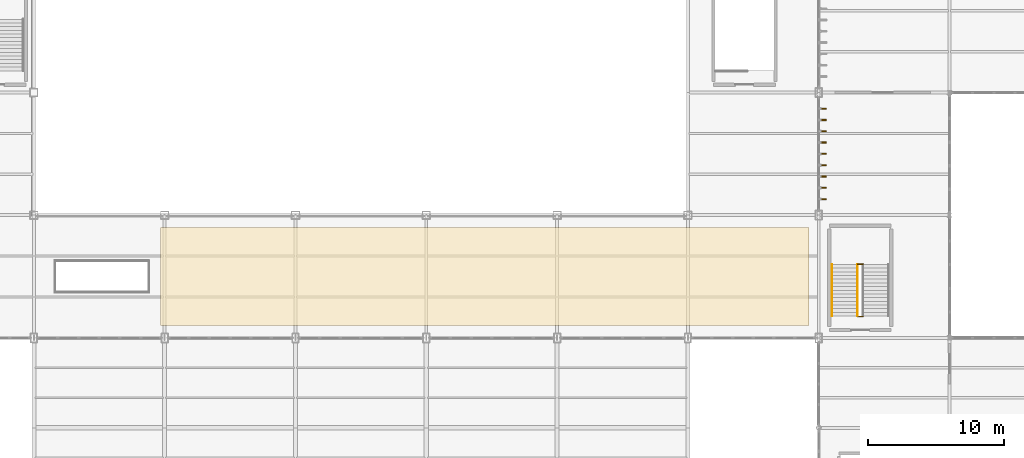
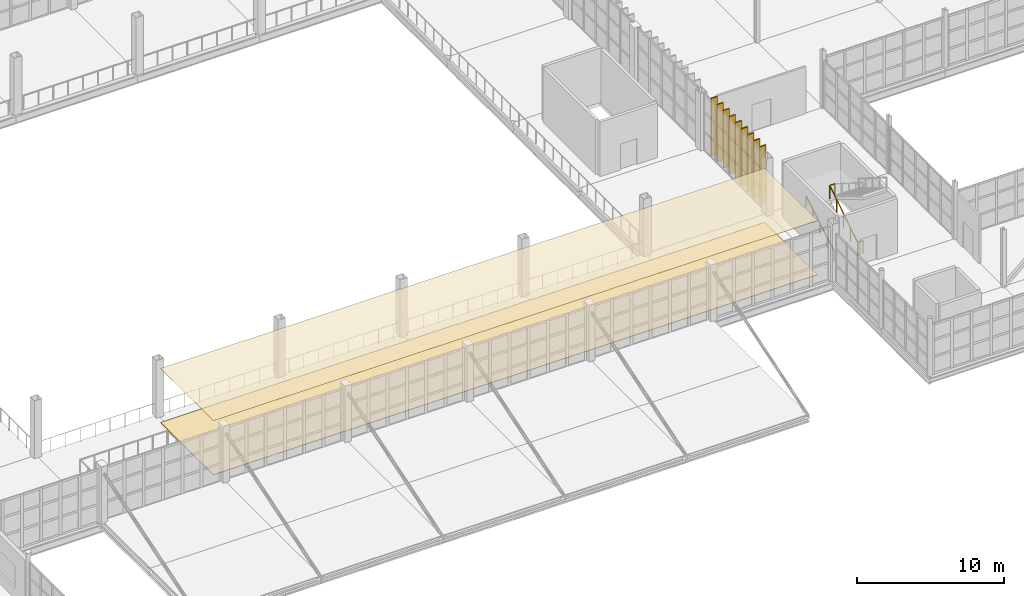
# One storey, part 116 of 120: 11 coverings, 4 railings.
"""IFC4 building model written with IfcOpenShell, lengths in metres."""

import ifcopenshell
import ifcopenshell.guid

model = None  # the IFC model being written
_history = None  # IfcOwnerHistory: only IFC2X3 demands one
_inside = {}  # id of a spatial element -> (the spatial element, [elements in it])
_under = {}  # id of a project, library or spatial element -> (it, [spatial elements below it])
_declared = {}  # id of a project -> (the project, [libraries it declares])
_typed = {}  # id of a type object -> (the type object, [elements of that type])
_made_of = {}  # id of a material, layer set ... -> (it, [elements and type objects made of it])


def new_model(schema):
    """Start an empty IFC model of exactly this schema.

    Asked for "IFC4X3", IfcOpenShell would pick the latest addendum, in which some entities
    have other attributes; the version numbers below select the first issue.
    IFC2X3 requires an IfcOwnerHistory on every rooted entity: one is made here for all.
    """
    global model, _history
    if schema == "IFC4X3":
        model = ifcopenshell.file(schema_version=(4, 3, 0, 0))
    else:
        model = ifcopenshell.file(schema=schema)
    _inside.clear()
    _under.clear()
    _declared.clear()
    _typed.clear()
    _made_of.clear()
    _history = None
    if model.schema == "IFC2X3":
        org = make("IfcOrganization", Name="unknown")
        user = make(
            "IfcPersonAndOrganization",
            ThePerson=make("IfcPerson", FamilyName="unknown"),
            TheOrganization=org,
        )
        app = make(
            "IfcApplication",
            ApplicationDeveloper=org,
            Version="unknown",
            ApplicationFullName="unknown",
            ApplicationIdentifier="unknown",
        )
        _history = make(
            "IfcOwnerHistory",
            OwningUser=user,
            OwningApplication=app,
            ChangeAction="ADDED",
            CreationDate=0,
        )
    return model


def make(cls, **values):
    """One entity of the class cls with the attributes given. An attribute that is None is left unset."""
    return model.create_entity(
        cls, **{name: value for name, value in values.items() if value is not None}
    )


def rooted(cls, **values):
    """An entity with a GlobalId (a new one), such as an element, a storey or a relation."""
    return make(cls, GlobalId=ifcopenshell.guid.new(), OwnerHistory=_history, **values)


def si_unit(unit_type, name, prefix=None):
    """IfcSIUnit, for example si_unit("LENGTHUNIT", "METRE", prefix="MILLI")."""
    return make("IfcSIUnit", UnitType=unit_type, Prefix=prefix, Name=name)


def assignment(units):
    """IfcUnitAssignment: the units of a project."""
    return None if units is None else make("IfcUnitAssignment", Units=units)


def point(xyz):
    """IfcCartesianPoint."""
    return None if xyz is None else make("IfcCartesianPoint", Coordinates=xyz)


def direction(xyz):
    """IfcDirection."""
    return None if xyz is None else make("IfcDirection", DirectionRatios=xyz)


def frame(location, z_axis=None, x_axis=None):
    """IfcAxis2Placement3D, a coordinate frame: its origin and axes. An axis left out is left unset."""
    return make(
        "IfcAxis2Placement3D",
        Location=point(location),
        Axis=direction(z_axis),
        RefDirection=direction(x_axis),
    )


def frame_2d(location, x_axis=None):
    """IfcAxis2Placement2D, a coordinate frame in the plane: its origin and x axis."""
    return make(
        "IfcAxis2Placement2D", Location=point(location), RefDirection=direction(x_axis)
    )


def origin():
    """The frame at (0, 0, 0) with its axes left unset."""
    return frame((0.0, 0.0, 0.0))


def origin_2d():
    """The frame at (0, 0) in the plane with its x axis left unset."""
    return frame_2d((0.0, 0.0))


def place(relative_to, where):
    """IfcLocalPlacement: puts the frame where relative to a parent placement (None: the world)."""
    return make(
        "IfcLocalPlacement", PlacementRelTo=relative_to, RelativePlacement=where
    )


def context(
    kind, dimensions, precision=None, world=None, true_north=None, identifier=None
):
    """IfcGeometricRepresentationContext, for example the 3D "Model" context."""
    return make(
        "IfcGeometricRepresentationContext",
        ContextIdentifier=identifier,
        ContextType=kind,
        CoordinateSpaceDimension=dimensions,
        Precision=precision,
        WorldCoordinateSystem=world,
        TrueNorth=true_north,
    )


def subcontext(parent, identifier, kind, view, scale=None):
    """IfcGeometricRepresentationSubContext, for example "Body" below "Model"."""
    return make(
        "IfcGeometricRepresentationSubContext",
        ContextIdentifier=identifier,
        ContextType=kind,
        ParentContext=parent,
        TargetScale=scale,
        TargetView=view,
    )


def project(units=None, contexts=None):
    """IfcProject with its units and contexts."""
    return rooted(
        "IfcProject",
        Name="project",
        RepresentationContexts=contexts,
        UnitsInContext=assignment(units),
    )


def spatial(cls, under=None, at=None, **own):
    """A site, building, storey or space (cls), placed at a placement, below another one or the project."""
    s = rooted(cls, ObjectPlacement=at, **own)
    if under is not None:
        _under.setdefault(under.id(), (under, []))[1].append(s)
    return s


def polyline(points):
    """IfcPolyline through the points."""
    return make("IfcPolyline", Points=[point(p) for p in points])


def profile(cls, at=None, kind="AREA", **sizes):
    """A parametric profile (cls). Its sizes go by their IFC names, for example OverallWidth=200.0."""
    return make(cls, ProfileType=kind, Position=at, **sizes)


def rectangle(**sizes):
    """IfcRectangleProfileDef."""
    return profile("IfcRectangleProfileDef", **sizes)


def circle(**sizes):
    """IfcCircleProfileDef."""
    return profile("IfcCircleProfileDef", **sizes)


def outline(outer, holes=None, kind="AREA"):
    """IfcArbitraryClosedProfileDef: a profile drawn as a closed curve; with holes, ...WithVoids."""
    if holes is None:
        return make("IfcArbitraryClosedProfileDef", ProfileType=kind, OuterCurve=outer)
    return make(
        "IfcArbitraryProfileDefWithVoids",
        ProfileType=kind,
        OuterCurve=outer,
        InnerCurves=holes,
    )


def extrude(swept, where, along, depth):
    """IfcExtrudedAreaSolid: the profile swept, set in the frame where, extruded along a direction by depth."""
    return make(
        "IfcExtrudedAreaSolid",
        SweptArea=swept,
        Position=where,
        ExtrudedDirection=direction(along),
        Depth=depth,
    )


def shape(context_of_items, identifier, shape_type, items):
    """IfcShapeRepresentation: the items that make up one representation, for example the "Body"."""
    return make(
        "IfcShapeRepresentation",
        ContextOfItems=context_of_items,
        RepresentationIdentifier=identifier,
        RepresentationType=shape_type,
        Items=items,
    )


def material(Name=None, Category=None):
    """IfcMaterial."""
    return make("IfcMaterial", Name=Name, Category=Category)


def layer(
    of_material, thickness, ventilated=None, Name=None, Category=None, Priority=None
):
    """IfcMaterialLayer: one layer of a wall or slab, of a material (None: an air gap)."""
    return make(
        "IfcMaterialLayer",
        Material=of_material,
        LayerThickness=thickness,
        IsVentilated=ventilated,
        Name=Name,
        Category=Category,
        Priority=Priority,
    )


def layer_set(layers, Name=None):
    """IfcMaterialLayerSet."""
    return make("IfcMaterialLayerSet", MaterialLayers=layers, LayerSetName=Name)


def made_of(thing, what):
    """Note that an element or type object is made of a material, layer set ...; save() writes the relation."""
    if what is not None:
        _made_of.setdefault(what.id(), (what, []))[1].append(thing)
    return thing


def type_object(cls, material=None, **own):
    """A type object (cls), such as IfcWallType, which elements share."""
    return made_of(rooted(cls, **own), material)


def element(
    cls,
    number,
    at=None,
    inside=None,
    cuts=None,
    type_object=None,
    material=None,
    context=None,
    identifier="Body",
    shape_type=None,
    held_by="IfcProductDefinitionShape",
    body=None,
    shapes=None,
    **own,
):
    """One element of the class cls, such as IfcWall. Its Tag is "e" and its number.

    at: its placement. inside: the storey or other place that contains it. cuts: it is an
    opening in that element (IfcRelVoidsElement). A single representation is given by context,
    identifier, shape_type and body (its items); several are given by shapes. held_by: the class
    of the entity that holds the representations. save() writes the other relations.
    """
    e = rooted(cls, Tag="e%d" % number, ObjectPlacement=at, **own)
    if body is not None:
        shapes = [shape(context, identifier, shape_type, body)]
    if shapes is not None:
        e.Representation = make(held_by, Representations=shapes)
    if inside is not None:
        _inside.setdefault(inside.id(), (inside, []))[1].append(e)
    if cuts is not None:
        rooted(
            "IfcRelVoidsElement", RelatingBuildingElement=cuts, RelatedOpeningElement=e
        )
    if type_object is not None:
        _typed.setdefault(type_object.id(), (type_object, []))[1].append(e)
    return made_of(e, material)


def aggregate(whole, parts):
    """IfcRelAggregates: a whole, such as a stair, and the parts it consists of."""
    return rooted("IfcRelAggregates", RelatingObject=whole, RelatedObjects=parts)


def save(model, path):
    """Write the relations noted so far, then the file.

    IfcRelAggregates (storeys below a building ...), IfcRelContainedInSpatialStructure (elements
    in a storey), IfcRelDefinesByType, IfcRelAssociatesMaterial and IfcRelDeclares: one each for
    every whole, place, type object, material and project.
    """
    for whole, parts in _under.values():
        aggregate(whole, parts)
    for where, things in _inside.values():
        rooted(
            "IfcRelContainedInSpatialStructure",
            RelatedElements=things,
            RelatingStructure=where,
        )
    for kind, things in _typed.values():
        rooted("IfcRelDefinesByType", RelatedObjects=things, RelatingType=kind)
    for what, things in _made_of.values():
        rooted("IfcRelAssociatesMaterial", RelatedObjects=things, RelatingMaterial=what)
    for by, libraries in _declared.values():
        rooted("IfcRelDeclares", RelatingContext=by, RelatedDefinitions=libraries)
    model.write(path)


model = new_model("IFC4")

# Units and contexts
model_context = context("Model", 3, precision=1e-05, world=origin(), true_north=direction((0.0, 1.0)))
body_context = subcontext(model_context, "Body", "Model", "MODEL_VIEW")
ifc_project = project(units=[si_unit("LENGTHUNIT", "METRE"), si_unit("AREAUNIT", "SQUARE_METRE"), si_unit("VOLUMEUNIT", "CUBIC_METRE"), si_unit("PLANEANGLEUNIT", "RADIAN"), si_unit("MASSUNIT", "GRAM", prefix="KILO")], contexts=[model_context])

# Site, building, storey
site_placement = place(None, origin())
site = spatial("IfcSite", under=ifc_project, at=site_placement, CompositionType="ELEMENT")
building_placement = place(site_placement, origin())
building = spatial("IfcBuilding", under=site, at=building_placement, Name="Zarnetskaya Central Station", CompositionType="ELEMENT")
storey_placement = place(building_placement, frame((0.0, 0.0, 5.39990234375)))
storey = spatial("IfcBuildingStorey", under=building, at=storey_placement, Name="L01", CompositionType="ELEMENT", Elevation=5.39990234375)

# Coverings
ifc_material_1 = material(Name="Acoustic mineral ceiling")
ifc_layer_1 = layer(ifc_material_1, 0.030029296875, Name="Acoustic mineral ceiling")
ifc_layer_set_1 = layer_set([ifc_layer_1], Name="Acoustic mineral ceiling")
covering_type_1 = type_object("IfcCoveringType", Name="COV-ACOU-CEIL", PredefinedType="CEILING", material=ifc_layer_set_1)
covering_1_placement = place(storey_placement, frame((0.0, 0.0, 4.510009765625)))
element("IfcCovering", 1, at=covering_1_placement, inside=storey, type_object=covering_type_1, Name="Acoustic suspended ceiling L01-302", PredefinedType="CEILING", context=body_context, shape_type="SweptSolid", body=[
    extrude(outline(polyline([(76.5, 14.10009765625), (124.10009765625, 14.10009765625), (124.10009765625, 21.300048828125), (76.5, 21.300048828125), (76.5, 14.10009765625)])), origin(), (0.0, 0.0, 1.0), 0.030029296875),
])
ifc_material_2 = material(Name="Granite stone flooring", Category="masonry")
ifc_layer_2 = layer(ifc_material_2, 0.0400390625, Name="Granite stone flooring", Category="masonry")
ifc_layer_set_2 = layer_set([ifc_layer_2], Name="Granite stone flooring")
covering_type_2 = type_object("IfcCoveringType", Name="COV-GRAN-FLR", PredefinedType="FLOORING", material=ifc_layer_set_2)
covering_2_placement = place(storey_placement, origin())
element("IfcCovering", 2, at=covering_2_placement, inside=storey, type_object=covering_type_2, Name="Granite terrazzo floor finish L01-302", PredefinedType="FLOORING", context=body_context, shape_type="SweptSolid", body=[
    extrude(outline(polyline([(76.5, 14.10009765625), (124.10009765625, 14.10009765625), (124.10009765625, 21.300048828125), (76.5, 21.300048828125), (76.5, 14.10009765625)])), origin(), (0.0, 0.0, 1.0), 0.0400390625),
])
ifc_material_3 = material(Name="Larch glulam GL28h", Category="wood")
covering_type_3 = type_object("IfcCoveringType", Name="COV-LARCH-BLADE", PredefinedType="CLADDING", material=ifc_material_3)
for number, where, z_axis, x_axis, name in (
    (3, (125.1298828125, 30.02001953125, 0.0), (0.0, 0.0, 1.0), (0.0, -1.0, 0.0), "Vertical GL28h larch gable screen blade CW-L01-089-01"),
    (4, (125.1298828125, 29.18994140625, 0.0), (0.0, 0.0, 1.0), (0.0, -1.0, 0.0), "Vertical GL28h larch gable screen blade CW-L01-089-02"),
    (5, (125.1298828125, 28.360107421875, 0.0), (0.0, 0.0, 1.0), (0.0, -1.0, 0.0), "Vertical GL28h larch gable screen blade CW-L01-089-03"),
    (6, (125.1298828125, 27.530029296875, 0.0), (0.0, 0.0, 1.0), (0.0, -1.0, 0.0), "Vertical GL28h larch gable screen blade CW-L01-089-04"),
    (7, (125.1298828125, 26.699951171875, 0.0), (0.0, 0.0, 1.0), (0.0, -1.0, 0.0), "Vertical GL28h larch gable screen blade CW-L01-089-05"),
    (8, (125.1298828125, 25.8701171875, 0.0), (0.0, 0.0, 1.0), (0.0, -1.0, 0.0), "Vertical GL28h larch gable screen blade CW-L01-089-06"),
    (9, (125.1298828125, 25.0400390625, 0.0), (0.0, 0.0, 1.0), (0.0, -1.0, 0.0), "Vertical GL28h larch gable screen blade CW-L01-089-07"),
    (10, (125.1298828125, 24.2099609375, 0.0), (0.0, 0.0, 1.0), (0.0, -1.0, 0.0), "Vertical GL28h larch gable screen blade CW-L01-089-08"),
    (11, (125.1298828125, 23.3798828125, 0.0), (0.0, 0.0, 1.0), (0.0, -1.0, 0.0), "Vertical GL28h larch gable screen blade CW-L01-089-09"),
):
    element("IfcCovering", number, at=place(storey_placement, frame(where, z_axis=z_axis, x_axis=x_axis)), inside=storey, type_object=covering_type_3, Name=name, PredefinedType="CLADDING", context=body_context, shape_type="SweptSolid", body=[
        extrude(rectangle(XDim=0.090087890625, YDim=0.47998046875, at=origin_2d()), origin(), (0.0, 0.0, 1.0), 4.800048828125),
    ])

# Railings
ifc_material_4 = material(Name="Steel S355", Category="steel")
railing_type_1 = type_object("IfcRailingType", Name="RAIL-HAND-900", PredefinedType="HANDRAIL", material=ifc_material_4)
railing_1_placement = place(storey_placement, frame((125.780029296875, 14.800048828125, 0.16015625)))
element("IfcRailing", 12, at=railing_1_placement, inside=storey, type_object=railing_type_1, Name="Stair ST-V1 L01 flight 1 handrail", PredefinedType="HANDRAIL", context=body_context, shape_type="SweptSolid", body=[
    extrude(circle(Radius=0.02392578125, at=origin_2d()), frame((0.0, 0.0, 0.8759765625), z_axis=(0.0, 0.860294241299, 0.509797821089), x_axis=(-1.0, 0.0, 0.0)), (0.0, 0.0, 1.0), 4.393798828125),
    extrude(circle(Radius=0.02099609375, at=origin_2d()), origin(), (0.0, 0.0, 1.0), 0.851806640625),
    extrude(circle(Radius=0.02099609375, at=origin_2d()), frame((0.0, 0.945068359375, 0.56005859375)), (0.0, 0.0, 1.0), 0.851806640625),
    extrude(circle(Radius=0.02099609375, at=origin_2d()), frame((0.0, 1.89013671875, 1.1201171875)), (0.0, 0.0, 1.0), 0.851806640625),
    extrude(circle(Radius=0.02099609375, at=origin_2d()), frame((0.0, 2.8349609375, 1.679931640625)), (0.0, 0.0, 1.0), 0.851806640625),
    extrude(circle(Radius=0.02099609375, at=origin_2d()), frame((0.0, 3.780029296875, 2.239990234375)), (0.0, 0.0, 1.0), 0.851806640625),
])
railing_type_2 = type_object("IfcRailingType", Name="RAIL-STAIR-GRD", PredefinedType="BALUSTRADE", material=ifc_material_4)
railing_2_placement = place(storey_placement, frame((127.639892578125, 14.760009765625, 0.0)))
element("IfcRailing", 13, at=railing_2_placement, inside=storey, type_object=railing_type_2, Name="Stair ST-V1 L01 floor well guard", PredefinedType="BALUSTRADE", context=body_context, shape_type="SweptSolid", body=[
    extrude(circle(Radius=0.02392578125, at=origin_2d()), frame((0.0, 0.0, 1.09619140625), z_axis=(1.0, 0.0, 0.0), x_axis=(0.0, 1.0, 0.0)), (0.0, 0.0, 1.0), 0.420166015625),
    extrude(circle(Radius=0.02099609375, at=origin_2d()), origin(), (0.0, 0.0, 1.0), 1.072021484375),
    extrude(circle(Radius=0.02099609375, at=origin_2d()), frame((0.420166015625, 0.0, 0.0)), (0.0, 0.0, 1.0), 1.072021484375),
])
railing_3_placement = place(storey_placement, frame((127.639892578125, 14.800048828125, 0.0)))
element("IfcRailing", 14, at=railing_3_placement, inside=storey, type_object=railing_type_2, Name="Stair ST-V1 L01 flight 1 well guard", PredefinedType="BALUSTRADE", context=body_context, shape_type="SweptSolid", body=[
    extrude(circle(Radius=0.02392578125, at=origin_2d()), frame((0.0, 0.0, 1.09619140625), z_axis=(0.0, 0.844199891302, 0.536028491338), x_axis=(-1.0, 0.0, 0.0)), (0.0, 0.0, 1.0), 4.4775390625),
    extrude(circle(Radius=0.02099609375, at=origin_2d()), origin(), (0.0, 0.0, 1.0), 1.072021484375),
    extrude(circle(Radius=0.02099609375, at=origin_2d()), frame((0.0, 0.945068359375, 0.60009765625)), (0.0, 0.0, 1.0), 1.072021484375),
    extrude(circle(Radius=0.02099609375, at=origin_2d()), frame((0.0, 1.89013671875, 1.2001953125)), (0.0, 0.0, 1.0), 1.072021484375),
    extrude(circle(Radius=0.02099609375, at=origin_2d()), frame((0.0, 2.8349609375, 1.800048828125)), (0.0, 0.0, 1.0), 1.072021484375),
    extrude(circle(Radius=0.02099609375, at=origin_2d()), frame((0.0, 3.780029296875, 2.400146484375)), (0.0, 0.0, 1.0), 1.072021484375),
])
railing_4_placement = place(storey_placement, frame((127.639892578125, 18.60009765625, 2.400146484375)))
element("IfcRailing", 15, at=railing_4_placement, inside=storey, type_object=railing_type_2, Name="Stair ST-V1 L01 half-landing well guard", PredefinedType="BALUSTRADE", context=body_context, shape_type="SweptSolid", body=[
    extrude(circle(Radius=0.02392578125, at=origin_2d()), frame((0.0, 0.0, 1.09619140625), z_axis=(1.0, 0.0, 0.0), x_axis=(0.0, 1.0, 0.0)), (0.0, 0.0, 1.0), 0.420166015625),
    extrude(circle(Radius=0.02099609375, at=origin_2d()), origin(), (0.0, 0.0, 1.0), 1.072021484375),
    extrude(circle(Radius=0.02099609375, at=origin_2d()), frame((0.420166015625, 0.0, 0.0)), (0.0, 0.0, 1.0), 1.072021484375),
])

save(model, "model.ifc")
